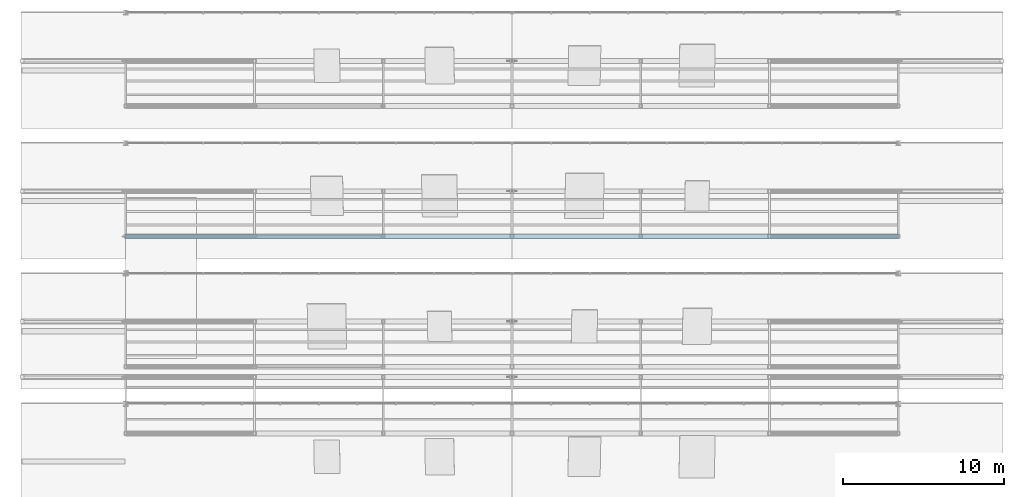
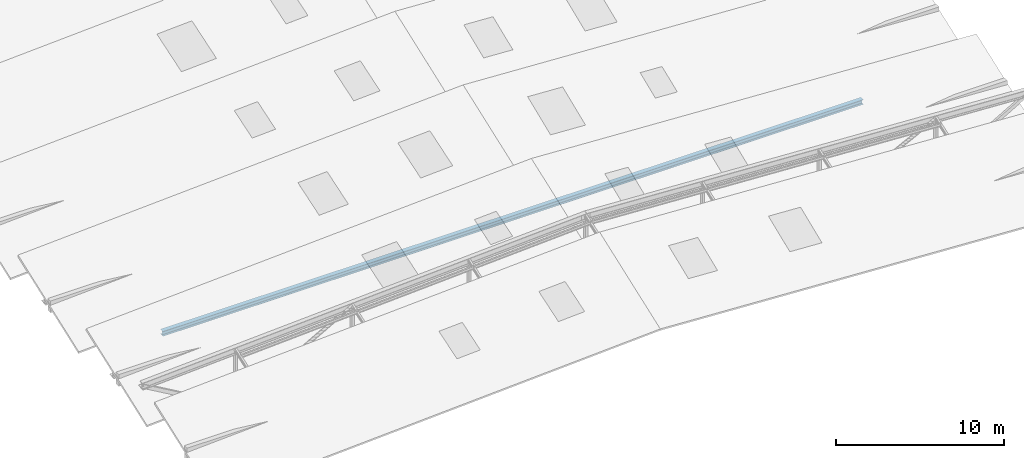
# One storey, part 34 of 141: 1 member.
"""IFC4 building model written with IfcOpenShell, lengths in metres."""

import ifcopenshell
import ifcopenshell.guid

model = None  # the IFC model being written
_history = None  # IfcOwnerHistory: only IFC2X3 demands one
_inside = {}  # id of a spatial element -> (the spatial element, [elements in it])
_under = {}  # id of a project, library or spatial element -> (it, [spatial elements below it])
_declared = {}  # id of a project -> (the project, [libraries it declares])
_typed = {}  # id of a type object -> (the type object, [elements of that type])
_made_of = {}  # id of a material, layer set ... -> (it, [elements and type objects made of it])


def new_model(schema):
    """Start an empty IFC model of exactly this schema.

    Asked for "IFC4X3", IfcOpenShell would pick the latest addendum, in which some entities
    have other attributes; the version numbers below select the first issue.
    IFC2X3 requires an IfcOwnerHistory on every rooted entity: one is made here for all.
    """
    global model, _history
    if schema == "IFC4X3":
        model = ifcopenshell.file(schema_version=(4, 3, 0, 0))
    else:
        model = ifcopenshell.file(schema=schema)
    _inside.clear()
    _under.clear()
    _declared.clear()
    _typed.clear()
    _made_of.clear()
    _history = None
    if model.schema == "IFC2X3":
        org = make("IfcOrganization", Name="unknown")
        user = make(
            "IfcPersonAndOrganization",
            ThePerson=make("IfcPerson", FamilyName="unknown"),
            TheOrganization=org,
        )
        app = make(
            "IfcApplication",
            ApplicationDeveloper=org,
            Version="unknown",
            ApplicationFullName="unknown",
            ApplicationIdentifier="unknown",
        )
        _history = make(
            "IfcOwnerHistory",
            OwningUser=user,
            OwningApplication=app,
            ChangeAction="ADDED",
            CreationDate=0,
        )
    return model


def make(cls, **values):
    """One entity of the class cls with the attributes given. An attribute that is None is left unset."""
    return model.create_entity(
        cls, **{name: value for name, value in values.items() if value is not None}
    )


def rooted(cls, **values):
    """An entity with a GlobalId (a new one), such as an element, a storey or a relation."""
    return make(cls, GlobalId=ifcopenshell.guid.new(), OwnerHistory=_history, **values)


def si_unit(unit_type, name, prefix=None):
    """IfcSIUnit, for example si_unit("LENGTHUNIT", "METRE", prefix="MILLI")."""
    return make("IfcSIUnit", UnitType=unit_type, Prefix=prefix, Name=name)


def assignment(units):
    """IfcUnitAssignment: the units of a project."""
    return None if units is None else make("IfcUnitAssignment", Units=units)


def point(xyz):
    """IfcCartesianPoint."""
    return None if xyz is None else make("IfcCartesianPoint", Coordinates=xyz)


def direction(xyz):
    """IfcDirection."""
    return None if xyz is None else make("IfcDirection", DirectionRatios=xyz)


def frame(location, z_axis=None, x_axis=None):
    """IfcAxis2Placement3D, a coordinate frame: its origin and axes. An axis left out is left unset."""
    return make(
        "IfcAxis2Placement3D",
        Location=point(location),
        Axis=direction(z_axis),
        RefDirection=direction(x_axis),
    )


def frame_2d(location, x_axis=None):
    """IfcAxis2Placement2D, a coordinate frame in the plane: its origin and x axis."""
    return make(
        "IfcAxis2Placement2D", Location=point(location), RefDirection=direction(x_axis)
    )


def origin():
    """The frame at (0, 0, 0) with its axes left unset."""
    return frame((0.0, 0.0, 0.0))


def origin_2d():
    """The frame at (0, 0) in the plane with its x axis left unset."""
    return frame_2d((0.0, 0.0))


def place(relative_to, where):
    """IfcLocalPlacement: puts the frame where relative to a parent placement (None: the world)."""
    return make(
        "IfcLocalPlacement", PlacementRelTo=relative_to, RelativePlacement=where
    )


def context(
    kind, dimensions, precision=None, world=None, true_north=None, identifier=None
):
    """IfcGeometricRepresentationContext, for example the 3D "Model" context."""
    return make(
        "IfcGeometricRepresentationContext",
        ContextIdentifier=identifier,
        ContextType=kind,
        CoordinateSpaceDimension=dimensions,
        Precision=precision,
        WorldCoordinateSystem=world,
        TrueNorth=true_north,
    )


def subcontext(parent, identifier, kind, view, scale=None):
    """IfcGeometricRepresentationSubContext, for example "Body" below "Model"."""
    return make(
        "IfcGeometricRepresentationSubContext",
        ContextIdentifier=identifier,
        ContextType=kind,
        ParentContext=parent,
        TargetScale=scale,
        TargetView=view,
    )


def project(units=None, contexts=None):
    """IfcProject with its units and contexts."""
    return rooted(
        "IfcProject",
        Name="project",
        RepresentationContexts=contexts,
        UnitsInContext=assignment(units),
    )


def spatial(cls, under=None, at=None, **own):
    """A site, building, storey or space (cls), placed at a placement, below another one or the project."""
    s = rooted(cls, ObjectPlacement=at, **own)
    if under is not None:
        _under.setdefault(under.id(), (under, []))[1].append(s)
    return s


def profile(cls, at=None, kind="AREA", **sizes):
    """A parametric profile (cls). Its sizes go by their IFC names, for example OverallWidth=200.0."""
    return make(cls, ProfileType=kind, Position=at, **sizes)


def i_section(**sizes):
    """IfcIShapeProfileDef."""
    return profile("IfcIShapeProfileDef", **sizes)


def extrude(swept, where, along, depth):
    """IfcExtrudedAreaSolid: the profile swept, set in the frame where, extruded along a direction by depth."""
    return make(
        "IfcExtrudedAreaSolid",
        SweptArea=swept,
        Position=where,
        ExtrudedDirection=direction(along),
        Depth=depth,
    )


def shape(context_of_items, identifier, shape_type, items):
    """IfcShapeRepresentation: the items that make up one representation, for example the "Body"."""
    return make(
        "IfcShapeRepresentation",
        ContextOfItems=context_of_items,
        RepresentationIdentifier=identifier,
        RepresentationType=shape_type,
        Items=items,
    )


def material(Name=None, Category=None):
    """IfcMaterial."""
    return make("IfcMaterial", Name=Name, Category=Category)


def material_profile(
    of_material, cross_section, Name=None, Category=None, Priority=None
):
    """IfcMaterialProfile: a cross section and its material."""
    return make(
        "IfcMaterialProfile",
        Name=Name,
        Material=of_material,
        Profile=cross_section,
        Priority=Priority,
        Category=Category,
    )


def profile_set(profiles, Name=None, composite=None):
    """IfcMaterialProfileSet."""
    return make(
        "IfcMaterialProfileSet",
        Name=Name,
        MaterialProfiles=profiles,
        CompositeProfile=composite,
    )


def made_of(thing, what):
    """Note that an element or type object is made of a material, layer set ...; save() writes the relation."""
    if what is not None:
        _made_of.setdefault(what.id(), (what, []))[1].append(thing)
    return thing


def type_object(cls, material=None, **own):
    """A type object (cls), such as IfcWallType, which elements share."""
    return made_of(rooted(cls, **own), material)


def element(
    cls,
    number,
    at=None,
    inside=None,
    cuts=None,
    type_object=None,
    material=None,
    context=None,
    identifier="Body",
    shape_type=None,
    held_by="IfcProductDefinitionShape",
    body=None,
    shapes=None,
    **own,
):
    """One element of the class cls, such as IfcWall. Its Tag is "e" and its number.

    at: its placement. inside: the storey or other place that contains it. cuts: it is an
    opening in that element (IfcRelVoidsElement). A single representation is given by context,
    identifier, shape_type and body (its items); several are given by shapes. held_by: the class
    of the entity that holds the representations. save() writes the other relations.
    """
    e = rooted(cls, Tag="e%d" % number, ObjectPlacement=at, **own)
    if body is not None:
        shapes = [shape(context, identifier, shape_type, body)]
    if shapes is not None:
        e.Representation = make(held_by, Representations=shapes)
    if inside is not None:
        _inside.setdefault(inside.id(), (inside, []))[1].append(e)
    if cuts is not None:
        rooted(
            "IfcRelVoidsElement", RelatingBuildingElement=cuts, RelatedOpeningElement=e
        )
    if type_object is not None:
        _typed.setdefault(type_object.id(), (type_object, []))[1].append(e)
    return made_of(e, material)


def aggregate(whole, parts):
    """IfcRelAggregates: a whole, such as a stair, and the parts it consists of."""
    return rooted("IfcRelAggregates", RelatingObject=whole, RelatedObjects=parts)


def save(model, path):
    """Write the relations noted so far, then the file.

    IfcRelAggregates (storeys below a building ...), IfcRelContainedInSpatialStructure (elements
    in a storey), IfcRelDefinesByType, IfcRelAssociatesMaterial and IfcRelDeclares: one each for
    every whole, place, type object, material and project.
    """
    for whole, parts in _under.values():
        aggregate(whole, parts)
    for where, things in _inside.values():
        rooted(
            "IfcRelContainedInSpatialStructure",
            RelatedElements=things,
            RelatingStructure=where,
        )
    for kind, things in _typed.values():
        rooted("IfcRelDefinesByType", RelatedObjects=things, RelatingType=kind)
    for what, things in _made_of.values():
        rooted("IfcRelAssociatesMaterial", RelatedObjects=things, RelatingMaterial=what)
    for by, libraries in _declared.values():
        rooted("IfcRelDeclares", RelatingContext=by, RelatedDefinitions=libraries)
    model.write(path)


model = new_model("IFC4")

# Units and contexts
model_context = context("Model", 3, precision=1e-05, world=origin(), true_north=direction((0.0, 1.0)))
body_context = subcontext(model_context, "Body", "Model", "MODEL_VIEW")
ifc_project = project(units=[si_unit("LENGTHUNIT", "METRE"), si_unit("AREAUNIT", "SQUARE_METRE"), si_unit("VOLUMEUNIT", "CUBIC_METRE"), si_unit("PLANEANGLEUNIT", "RADIAN"), si_unit("MASSUNIT", "GRAM", prefix="KILO")], contexts=[model_context])

# Site, building, storey
site_placement = place(None, origin())
site = spatial("IfcSite", under=ifc_project, at=site_placement, CompositionType="ELEMENT")
building_placement = place(site_placement, origin())
building = spatial("IfcBuilding", under=site, at=building_placement, Name="Sundkrona Museum", CompositionType="ELEMENT")
storey_placement = place(building_placement, frame((0.0, 0.0, 34.0)))
storey = spatial("IfcBuildingStorey", under=building, at=storey_placement, Name="RF", CompositionType="ELEMENT", Elevation=34.0)

# Member
ifc_material = material(Name="Steel S355J2", Category="steel")
ifc_material_profile = material_profile(ifc_material, i_section(OverallWidth=0.300048828125, OverallDepth=0.35009765625, WebThickness=0.010009765625, FlangeThickness=0.017578125, FilletRadius=0.027099609375, at=origin_2d()), Name="HEA 360")
ifc_profile_set = profile_set([ifc_material_profile], Name="Steel S355J2")
member_type = type_object("IfcMemberType", Name="TC-HEA360", PredefinedType="CHORD", material=ifc_profile_set)
member_placement = place(storey_placement, frame((120.0, 12.60009765625, -0.25), z_axis=(1.0, 0.0, 0.0), x_axis=(0.0, 1.0, 0.0)))
element("IfcMember", 1, at=member_placement, inside=storey, type_object=member_type, Name="RFS-1 Sawtooth Valley Truss 3 Bottom Chord", PredefinedType="CHORD", context=body_context, shape_type="SweptSolid", body=[
    extrude(i_section(OverallWidth=0.300048828125, OverallDepth=0.35009765625, WebThickness=0.010009765625, FlangeThickness=0.017578125, FilletRadius=0.027099609375, at=origin_2d()), origin(), (0.0, 0.0, 1.0), 48.0),
])

save(model, "model.ifc")
